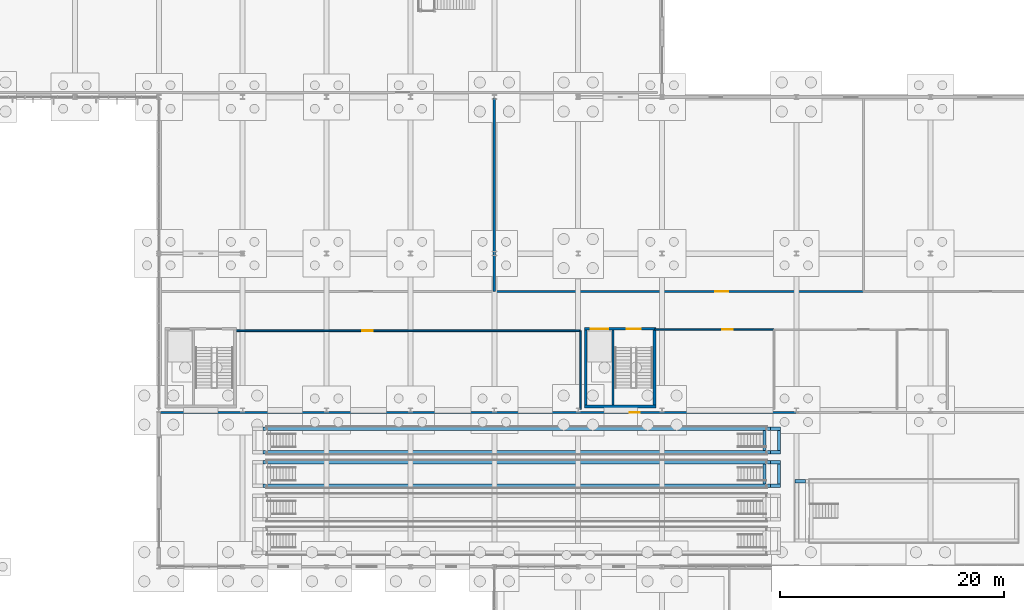
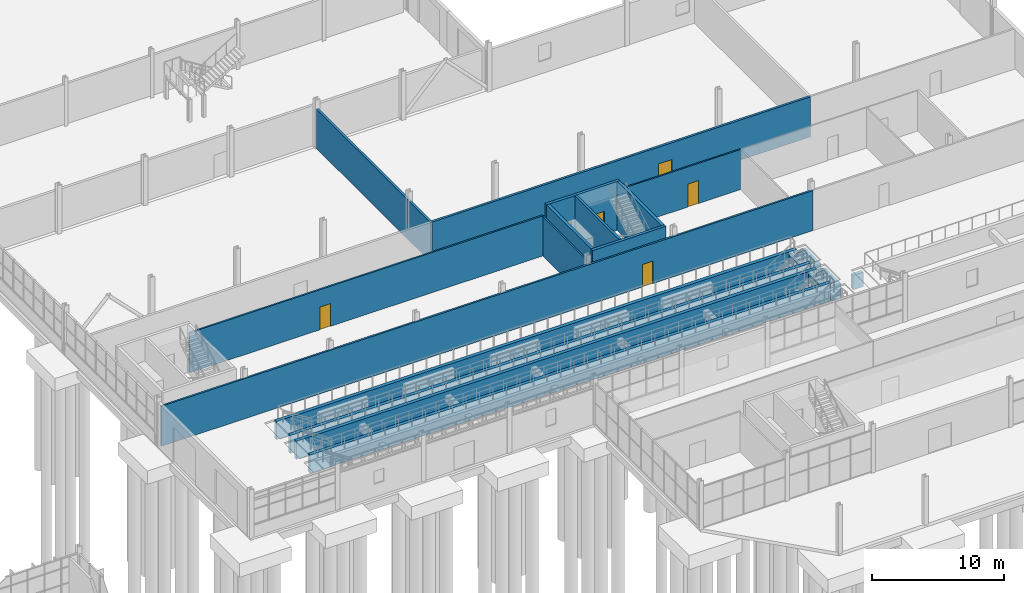
# One storey, part 115 of 136: 24 walls, 6 doors, 6 openings.
"""IFC4 building model written with IfcOpenShell, lengths in metres."""

from ifc_helpers import new_model, si_unit, direction, frame, frame_2d, origin, place, context, subcontext, project, spatial, rectangle, extrude, material, layer, layer_set, type_object, element, fill, save


model = new_model("IFC4")

# Units and contexts
model_context = context("Model", 3, precision=1e-05, world=origin(), true_north=direction((0.0, 1.0)))
body_context = subcontext(model_context, "Body", "Model", "MODEL_VIEW")
ifc_project = project(units=[si_unit("LENGTHUNIT", "METRE"), si_unit("AREAUNIT", "SQUARE_METRE"), si_unit("VOLUMEUNIT", "CUBIC_METRE"), si_unit("PLANEANGLEUNIT", "RADIAN"), si_unit("MASSUNIT", "GRAM", prefix="KILO")], contexts=[model_context])

# Site, building, storey
site_placement = place(None, origin())
site = spatial("IfcSite", under=ifc_project, at=site_placement, CompositionType="ELEMENT")
building_placement = place(site_placement, origin())
building = spatial("IfcBuilding", under=site, at=building_placement, Name="Solvenia Promenade Tram Depot", CompositionType="ELEMENT")
storey_placement = place(building_placement, origin())
storey = spatial("IfcBuildingStorey", under=building, at=storey_placement, Name="L00", CompositionType="ELEMENT", Elevation=0.0)

# Wall
ifc_material_1 = material(Name="Concrete C28/35", Category="concrete")
ifc_layer_1 = layer(ifc_material_1, 0.25, Name="Concrete C28/35", Category="concrete")
ifc_layer_set_1 = layer_set([ifc_layer_1], Name="Concrete C28/35")
wall_type_1 = type_object("IfcWallType", Name="Wall-Core-250", PredefinedType="SHEAR", material=ifc_layer_set_1)
wall_1_placement = place(storey_placement, frame((143.050048828125, 38.324951171875, 0.0), z_axis=(0.0, 0.0, 1.0), x_axis=(1.0, 0.0, 0.0)))
element("IfcWall", 1, at=wall_1_placement, inside=storey, type_object=wall_type_1, Name="Core C6 Shear Wall WC-C6-L00-S", PredefinedType="SHEAR", context=body_context, shape_type="SweptSolid", body=[
    extrude(rectangle(XDim=6.39990234375, YDim=0.25, at=frame_2d((3.199951171875, 0.0))), origin(), (0.0, 0.0, 1.0), 4.5),
])

# Wall, openings, doors
wall_2_placement = place(storey_placement, frame((143.050048828125, 45.27490234375, 0.0), z_axis=(0.0, 0.0, 1.0), x_axis=(1.0, 0.0, 0.0)))
wall_2 = element("IfcWall", 2, at=wall_2_placement, inside=storey, type_object=wall_type_1, Name="Core C6 Shear Wall WC-C6-L00-N", PredefinedType="SHEAR", context=body_context, shape_type="SweptSolid", body=[
    extrude(rectangle(XDim=6.39990234375, YDim=0.25, at=frame_2d((3.199951171875, 0.0))), origin(), (0.0, 0.0, 1.0), 4.5),
])
opening_1_placement = place(wall_2_placement, frame((0.550048828125, 0.0, 0.0)))
opening_1 = element("IfcOpeningElement", 3, at=opening_1_placement, cuts=wall_2, Name="Opening LD-06", PredefinedType="OPENING", context=body_context, shape_type="SweptSolid", body=[
    extrude(rectangle(XDim=1.60009765625, YDim=2.25, at=frame_2d((0.800048828125, 1.125))), frame((0.0, 0.135009765625, 0.0), z_axis=(0.0, -1.0, 0.0), x_axis=(1.0, 0.0, 0.0)), (0.0, 0.0, 1.0), 0.27001953125),
])
opening_2_placement = place(wall_2_placement, frame((3.77490234375, 0.0, 0.0)))
opening_2 = element("IfcOpeningElement", 4, at=opening_2_placement, cuts=wall_2, Name="Opening D-FD90", PredefinedType="OPENING", context=body_context, shape_type="SweptSolid", body=[
    extrude(rectangle(XDim=1.25, YDim=2.14990234375, at=frame_2d((0.625, 1.074951171875))), frame((0.0, 0.135009765625, 0.0), z_axis=(0.0, -1.0, 0.0), x_axis=(1.0, 0.0, 0.0)), (0.0, 0.0, 1.0), 0.27001953125),
])
ifc_material_2 = material(Name="Galvanized painted sheet steel", Category="steel")
door_type_1 = type_object("IfcDoorType", Name="Door-Lift-Goods-1600", OperationType="DOUBLE_DOOR_SLIDING", PredefinedType="DOOR", material=ifc_material_2)
door_1_placement = place(opening_1_placement, origin())
door_1 = element("IfcDoor", 5, at=door_1_placement, inside=storey, type_object=door_type_1, Name="Lift Landing Door LG-02 L00", OperationType="DOUBLE_DOOR_SLIDING", OverallHeight=2.25, OverallWidth=1.60009765625, PredefinedType="DOOR", context=body_context, shape_type="SweptSolid", body=[
    extrude(rectangle(XDim=1.60009765625, YDim=2.25, at=frame_2d((0.800048828125, 1.125))), frame((0.0, 0.02490234375, 0.0), z_axis=(0.0, -1.0, 0.0), x_axis=(1.0, 0.0, 0.0)), (0.0, 0.0, 1.0), 0.050048828125),
])
fill(opening_1, door_1)
door_type_2 = type_object("IfcDoorType", Name="Door-Stair-FD90", OperationType="NOTDEFINED", PredefinedType="DOOR", material=ifc_material_2)
door_2_placement = place(opening_2_placement, origin())
door_2 = element("IfcDoor", 6, at=door_2_placement, inside=storey, type_object=door_type_2, Name="Exit Stair Door C6 L00", OperationType="SINGLE_SWING_RIGHT", OverallHeight=2.14990234375, OverallWidth=1.25, PredefinedType="DOOR", context=body_context, shape_type="SweptSolid", body=[
    extrude(rectangle(XDim=1.25, YDim=2.14990234375, at=frame_2d((0.625, 1.074951171875))), frame((0.0, 0.02490234375, 0.0), z_axis=(0.0, -1.0, 0.0), x_axis=(1.0, 0.0, 0.0)), (0.0, 0.0, 1.0), 0.050048828125),
])
fill(opening_2, door_2)

# Walls
for number, where, z_axis, x_axis, name in (
    (7, (143.175048828125, 38.449951171875, 0.0), (0.0, 0.0, 1.0), (0.0, 1.0, 0.0), "Core C6 Shear Wall WC-C6-L00-W"),
    (8, (149.324951171875, 38.449951171875, 0.0), (0.0, 0.0, 1.0), (0.0, 1.0, 0.0), "Core C6 Shear Wall WC-C6-L00-E"),
):
    element("IfcWall", number, at=place(storey_placement, frame(where, z_axis=z_axis, x_axis=x_axis)), inside=storey, type_object=wall_type_1, Name=name, PredefinedType="SHEAR", context=body_context, shape_type="SweptSolid", body=[
        extrude(rectangle(XDim=6.699951171875, YDim=0.25, at=frame_2d((3.35009765625, 0.0))), origin(), (0.0, 0.0, 1.0), 4.5),
    ])
ifc_material_3 = material(Name="Concrete blockwork masonry", Category="masonry")
ifc_layer_2 = layer(ifc_material_3, 0.195068359375, Name="Concrete blockwork masonry", Category="masonry")
ifc_layer_set_2 = layer_set([ifc_layer_2], Name="Concrete blockwork masonry")
wall_type_2 = type_object("IfcWallType", Name="Wall-Fire-195", PredefinedType="PARTITIONING", material=ifc_layer_set_2)
wall_3_placement = place(storey_placement, frame((135.0, 48.60009765625, 0.0), z_axis=(0.0, 0.0, 1.0), x_axis=(0.0, 1.0, 0.0)))
element("IfcWall", 9, at=wall_3_placement, inside=storey, type_object=wall_type_2, Name="Paint and Body Workshop Dividing Wall WP-L00-015", PredefinedType="PARTITIONING", context=body_context, shape_type="SweptSolid", body=[
    extrude(rectangle(XDim=17.31982421875, YDim=0.195068359375, at=frame_2d((8.659912109375, 0.0))), origin(), (0.0, 0.0, 1.0), 3.633056640625),
])

# Wall, opening, door
wall_4_placement = place(storey_placement, frame((135.0, 48.60009765625, 0.0), z_axis=(0.0, 0.0, 1.0), x_axis=(1.0, 0.0, 0.0)))
wall_4 = element("IfcWall", 10, at=wall_4_placement, inside=storey, type_object=wall_type_2, Name="Heavy Parts Store Partition WP-L00-016", PredefinedType="PARTITIONING", context=body_context, shape_type="SweptSolid", body=[
    extrude(rectangle(XDim=33.0, YDim=0.195068359375, at=frame_2d((16.5, 0.0))), origin(), (0.0, 0.0, 1.0), 3.699951171875),
])
opening_3_placement = place(wall_4_placement, frame((19.7470703125, 0.0, 0.0)))
opening_3 = element("IfcOpeningElement", 11, at=opening_3_placement, cuts=wall_4, Name="Opening D-FD60", PredefinedType="OPENING", context=body_context, shape_type="SweptSolid", body=[
    extrude(rectangle(XDim=1.14990234375, YDim=2.14990234375, at=frame_2d((0.574951171875, 1.074951171875))), frame((0.0, 0.107421875, 0.0), z_axis=(0.0, -1.0, 0.0), x_axis=(1.0, 0.0, 0.0)), (0.0, 0.0, 1.0), 0.215087890625),
])
door_type_3 = type_object("IfcDoorType", Name="Door-Fire-FD60", OperationType="NOTDEFINED", PredefinedType="DOOR", material=ifc_material_2)
door_3_placement = place(opening_3_placement, origin())
door_3 = element("IfcDoor", 12, at=door_3_placement, inside=storey, type_object=door_type_3, Name="Door to Heavy Parts Store", OperationType="SINGLE_SWING_RIGHT", OverallHeight=2.14990234375, OverallWidth=1.14990234375, PredefinedType="DOOR", context=body_context, shape_type="SweptSolid", body=[
    extrude(rectangle(XDim=1.14990234375, YDim=2.14990234375, at=frame_2d((0.574951171875, 1.074951171875))), frame((0.0, 0.02490234375, 0.0), z_axis=(0.0, -1.0, 0.0), x_axis=(1.0, 0.0, 0.0)), (0.0, 0.0, 1.0), 0.050048828125),
])
fill(opening_3, door_3)

ifc_layer_3 = layer(ifc_material_3, 0.14501953125, Name="Concrete blockwork masonry", Category="masonry")
ifc_layer_set_3 = layer_set([ifc_layer_3], Name="Concrete blockwork masonry")
wall_type_3 = type_object("IfcWallType", Name="Wall-Masonry-145", PredefinedType="PARTITIONING", material=ifc_layer_set_3)
wall_5_placement = place(storey_placement, frame((111.824951171875, 45.10009765625, 0.0), z_axis=(0.0, 0.0, 1.0), x_axis=(1.0, 0.0, 0.0)))
wall_5 = element("IfcWall", 13, at=wall_5_placement, inside=storey, type_object=wall_type_3, Name="Bogie Overhaul Workshop Partition WP-L00-006", PredefinedType="PARTITIONING", context=body_context, shape_type="SweptSolid", body=[
    extrude(rectangle(XDim=30.875, YDim=0.14501953125, at=frame_2d((15.4375, 0.0))), origin(), (0.0, 0.0, 1.0), 3.699951171875),
])
opening_4_placement = place(wall_5_placement, frame((11.383056640625, 0.0, 0.0)))
opening_4 = element("IfcOpeningElement", 14, at=opening_4_placement, cuts=wall_5, Name="Opening DR-05", PredefinedType="OPENING", context=body_context, shape_type="SweptSolid", body=[
    extrude(rectangle(XDim=0.919921875, YDim=2.10009765625, at=frame_2d((0.4599609375, 1.050048828125))), frame((0.0, 0.08251953125, 0.0), z_axis=(0.0, -1.0, 0.0), x_axis=(1.0, 0.0, 0.0)), (0.0, 0.0, 1.0), 0.1650390625),
])
door_type_4 = type_object("IfcDoorType", Name="Door-Room-920x2100", OperationType="NOTDEFINED", PredefinedType="DOOR", material=ifc_material_2)
door_4_placement = place(opening_4_placement, origin())
door_4 = element("IfcDoor", 15, at=door_4_placement, inside=storey, type_object=door_type_4, Name="Door to Bogie Overhaul Workshop", OperationType="SINGLE_SWING_LEFT", OverallHeight=2.10009765625, OverallWidth=0.919921875, PredefinedType="DOOR", context=body_context, shape_type="SweptSolid", body=[
    extrude(rectangle(XDim=0.919921875, YDim=2.10009765625, at=frame_2d((0.4599609375, 1.050048828125))), frame((0.0, 0.02490234375, 0.0), z_axis=(0.0, -1.0, 0.0), x_axis=(1.0, 0.0, 0.0)), (0.0, 0.0, 1.0), 0.050048828125),
])
fill(opening_4, door_4)

ifc_layer_4 = layer(ifc_material_3, 0.159912109375, Name="Concrete blockwork masonry", Category="masonry")
ifc_layer_set_4 = layer_set([ifc_layer_4], Name="Concrete blockwork masonry")
wall_type_4 = type_object("IfcWallType", Name="Wall-Masonry-160", PredefinedType="PARTITIONING", material=ifc_layer_set_4)
wall_6_placement = place(storey_placement, frame((105.159912109375, 37.800048828125, 0.0), z_axis=(0.0, 0.0, 1.0), x_axis=(1.0, 0.0, 0.0)))
wall_6 = element("IfcWall", 16, at=wall_6_placement, inside=storey, type_object=wall_type_4, Name="Maintenance Hall Partition WP-L00-004", PredefinedType="PARTITIONING", context=body_context, shape_type="SweptSolid", body=[
    extrude(rectangle(XDim=56.840087890625, YDim=0.159912109375, at=frame_2d((28.419921875, 0.0))), origin(), (0.0, 0.0, 1.0), 3.699951171875),
])
opening_5_placement = place(wall_6_placement, frame((41.955078125, 0.0, 0.0)))
opening_5 = element("IfcOpeningElement", 17, at=opening_5_placement, cuts=wall_6, Name="Opening DR-03", PredefinedType="OPENING", context=body_context, shape_type="SweptSolid", body=[
    extrude(rectangle(XDim=0.89990234375, YDim=2.080078125, at=frame_2d((0.449951171875, 1.0400390625))), frame((0.0, 0.08984375, 0.0), z_axis=(0.0, -1.0, 0.0), x_axis=(1.0, 0.0, 0.0)), (0.0, 0.0, 1.0), 0.179931640625),
])
door_type_5 = type_object("IfcDoorType", Name="Door-Room-900x2080", OperationType="NOTDEFINED", PredefinedType="DOOR", material=ifc_material_2)
door_5_placement = place(opening_5_placement, origin())
door_5 = element("IfcDoor", 18, at=door_5_placement, inside=storey, type_object=door_type_5, Name="Door to Maintenance Hall", OperationType="SINGLE_SWING_LEFT", OverallHeight=2.080078125, OverallWidth=0.89990234375, PredefinedType="DOOR", context=body_context, shape_type="SweptSolid", body=[
    extrude(rectangle(XDim=0.89990234375, YDim=2.080078125, at=frame_2d((0.449951171875, 1.0400390625))), frame((0.0, 0.02490234375, 0.0), z_axis=(0.0, -1.0, 0.0), x_axis=(1.0, 0.0, 0.0)), (0.0, 0.0, 1.0), 0.050048828125),
])
fill(opening_5, door_5)

# Wall
ifc_material_4 = material(Name="Gypsum board acoustic partition", Category="other")
ifc_layer_5 = layer(ifc_material_4, 0.1298828125, Name="Gypsum board acoustic partition", Category="other")
ifc_layer_set_5 = layer_set([ifc_layer_5], Name="Gypsum board acoustic partition")
wall_type_5 = type_object("IfcWallType", Name="Wall-Part-130", PredefinedType="PARTITIONING", material=ifc_layer_set_5)
wall_7_placement = place(storey_placement, frame((142.699951171875, 38.080078125, 0.0), z_axis=(0.0, 0.0, 1.0), x_axis=(0.0, 1.0, 0.0)))
element("IfcWall", 19, at=wall_7_placement, inside=storey, type_object=wall_type_5, Name="Bogie Overhaul Workshop Dividing Wall WP-L00-007", PredefinedType="PARTITIONING", context=body_context, shape_type="SweptSolid", body=[
    extrude(rectangle(XDim=7.02001953125, YDim=0.1298828125, at=frame_2d((3.510009765625, 0.0))), origin(), (0.0, 0.0, 1.0), 3.633056640625),
])

# Wall, opening, door
wall_8_placement = place(storey_placement, frame((149.324951171875, 45.199951171875, 0.0), z_axis=(0.0, 0.0, 1.0), x_axis=(1.0, 0.0, 0.0)))
wall_8 = element("IfcWall", 20, at=wall_8_placement, inside=storey, type_object=wall_type_5, Name="Workshop Male Staff WC Partition WP-L00-008", PredefinedType="PARTITIONING", context=body_context, shape_type="SweptSolid", body=[
    extrude(rectangle(XDim=10.675048828125, YDim=0.1298828125, at=frame_2d((5.33740234375, 0.0))), origin(), (0.0, 0.0, 1.0), 3.699951171875),
])
opening_6_placement = place(wall_8_placement, frame((6.035888671875, 0.0, 0.0)))
opening_6 = element("IfcOpeningElement", 21, at=opening_6_placement, cuts=wall_8, Name="Opening DR-06", PredefinedType="OPENING", context=body_context, shape_type="SweptSolid", body=[
    extrude(rectangle(XDim=0.93994140625, YDim=2.1201171875, at=frame_2d((0.469970703125, 1.06005859375))), frame((0.0, 0.074951171875, 0.0), z_axis=(0.0, -1.0, 0.0), x_axis=(1.0, 0.0, 0.0)), (0.0, 0.0, 1.0), 0.14990234375),
])
door_type_6 = type_object("IfcDoorType", Name="Door-Room-940x2120", OperationType="NOTDEFINED", PredefinedType="DOOR", material=ifc_material_2)
door_6_placement = place(opening_6_placement, origin())
door_6 = element("IfcDoor", 22, at=door_6_placement, inside=storey, type_object=door_type_6, Name="Door to Workshop Male Staff WC", OperationType="SINGLE_SWING_RIGHT", OverallHeight=2.1201171875, OverallWidth=0.93994140625, PredefinedType="DOOR", context=body_context, shape_type="SweptSolid", body=[
    extrude(rectangle(XDim=0.93994140625, YDim=2.1201171875, at=frame_2d((0.469970703125, 1.06005859375))), frame((0.0, 0.02490234375, 0.0), z_axis=(0.0, -1.0, 0.0), x_axis=(1.0, 0.0, 0.0)), (0.0, 0.0, 1.0), 0.050048828125),
])
fill(opening_6, door_6)

# Walls
ifc_material_5 = material(Name="Concrete C35/45", Category="concrete")
ifc_layer_6 = layer(ifc_material_5, 0.300048828125, Name="Concrete C35/45", Category="concrete")
ifc_layer_set_6 = layer_set([ifc_layer_6], Name="Concrete C35/45")
wall_type_6 = type_object("IfcWallType", Name="Wall-Pit-300", PredefinedType="USERDEFINED", material=ifc_layer_set_6)
for number, where, z_axis, x_axis, name in (
    (23, (114.300048828125, 31.25, -1.675048828125), (0.0, 0.0, 1.0), (1.0, 0.0, 0.0), "Inspection Pit Bay 3 Retaining Wall S"),
    (24, (114.300048828125, 33.35009765625, -1.675048828125), (0.0, 0.0, 1.0), (1.0, 0.0, 0.0), "Inspection Pit Bay 3 Retaining Wall N"),
):
    element("IfcWall", number, at=place(storey_placement, frame(where, z_axis=z_axis, x_axis=x_axis)), inside=storey, type_object=wall_type_6, Name=name, ObjectType="RETAINING WALL", PredefinedType="USERDEFINED", context=body_context, shape_type="SweptSolid", body=[
        extrude(rectangle(XDim=45.39990234375, YDim=0.300048828125, at=frame_2d((22.699951171875, 0.0))), origin(), (0.0, 0.0, 1.0), 1.675048828125),
    ])
wall_9_placement = place(storey_placement, frame((159.14990234375, 31.39990234375, -1.675048828125), z_axis=(0.0, 0.0, 1.0), x_axis=(0.0, 1.0, 0.0)))
element("IfcWall", 25, at=wall_9_placement, inside=storey, type_object=wall_type_6, Name="Inspection Pit Bay 3 Retaining Wall E", ObjectType="RETAINING WALL", PredefinedType="USERDEFINED", context=body_context, shape_type="SweptSolid", body=[
    extrude(rectangle(XDim=1.800048828125, YDim=0.300048828125, at=frame_2d((0.89990234375, 0.0))), origin(), (0.0, 0.0, 1.0), 1.455078125),
])
for number, where, z_axis, x_axis, name in (
    (26, (159.699951171875, 31.25, -1.675048828125), (0.0, 0.0, 1.0), (1.0, 0.0, 0.0), "Inspection Pit Bay 3 East Drain Cheek Wall S"),
    (27, (159.699951171875, 33.35009765625, -1.675048828125), (0.0, 0.0, 1.0), (1.0, 0.0, 0.0), "Inspection Pit Bay 3 East Drain Cheek Wall N"),
):
    element("IfcWall", number, at=place(storey_placement, frame(where, z_axis=z_axis, x_axis=x_axis)), inside=storey, type_object=wall_type_6, Name=name, ObjectType="RETAINING WALL", PredefinedType="USERDEFINED", context=body_context, shape_type="SweptSolid", body=[
        extrude(rectangle(XDim=0.900146484375, YDim=0.300048828125, at=frame_2d((0.4501953125, 0.0))), origin(), (0.0, 0.0, 1.0), 1.344970703125),
    ])
wall_10_placement = place(storey_placement, frame((160.449951171875, 31.39990234375, -1.675048828125), z_axis=(0.0, 0.0, 1.0), x_axis=(0.0, 1.0, 0.0)))
element("IfcWall", 28, at=wall_10_placement, inside=storey, type_object=wall_type_6, Name="Inspection Pit Bay 3 East Apron End Wall", ObjectType="RETAINING WALL", PredefinedType="USERDEFINED", context=body_context, shape_type="SweptSolid", body=[
    extrude(rectangle(XDim=1.800048828125, YDim=0.300048828125, at=frame_2d((0.89990234375, 0.0))), origin(), (0.0, 0.0, 1.0), 1.344970703125),
])
for number, where, z_axis, x_axis, name in (
    (29, (114.300048828125, 34.25, -1.675048828125), (0.0, 0.0, 1.0), (1.0, 0.0, 0.0), "Inspection Pit Bay 4 Retaining Wall S"),
    (30, (114.300048828125, 36.35009765625, -1.675048828125), (0.0, 0.0, 1.0), (1.0, 0.0, 0.0), "Inspection Pit Bay 4 Retaining Wall N"),
):
    element("IfcWall", number, at=place(storey_placement, frame(where, z_axis=z_axis, x_axis=x_axis)), inside=storey, type_object=wall_type_6, Name=name, ObjectType="RETAINING WALL", PredefinedType="USERDEFINED", context=body_context, shape_type="SweptSolid", body=[
        extrude(rectangle(XDim=45.39990234375, YDim=0.300048828125, at=frame_2d((22.699951171875, 0.0))), origin(), (0.0, 0.0, 1.0), 1.675048828125),
    ])
wall_11_placement = place(storey_placement, frame((159.14990234375, 34.39990234375, -1.675048828125), z_axis=(0.0, 0.0, 1.0), x_axis=(0.0, 1.0, 0.0)))
element("IfcWall", 31, at=wall_11_placement, inside=storey, type_object=wall_type_6, Name="Inspection Pit Bay 4 Retaining Wall E", ObjectType="RETAINING WALL", PredefinedType="USERDEFINED", context=body_context, shape_type="SweptSolid", body=[
    extrude(rectangle(XDim=1.800048828125, YDim=0.300048828125, at=frame_2d((0.89990234375, 0.0))), origin(), (0.0, 0.0, 1.0), 1.455078125),
])
for number, where, z_axis, x_axis, name in (
    (32, (159.699951171875, 34.25, -1.675048828125), (0.0, 0.0, 1.0), (1.0, 0.0, 0.0), "Inspection Pit Bay 4 East Drain Cheek Wall S"),
    (33, (159.699951171875, 36.35009765625, -1.675048828125), (0.0, 0.0, 1.0), (1.0, 0.0, 0.0), "Inspection Pit Bay 4 East Drain Cheek Wall N"),
):
    element("IfcWall", number, at=place(storey_placement, frame(where, z_axis=z_axis, x_axis=x_axis)), inside=storey, type_object=wall_type_6, Name=name, ObjectType="RETAINING WALL", PredefinedType="USERDEFINED", context=body_context, shape_type="SweptSolid", body=[
        extrude(rectangle(XDim=0.900146484375, YDim=0.300048828125, at=frame_2d((0.4501953125, 0.0))), origin(), (0.0, 0.0, 1.0), 1.344970703125),
    ])
wall_12_placement = place(storey_placement, frame((160.449951171875, 34.39990234375, -1.675048828125), z_axis=(0.0, 0.0, 1.0), x_axis=(0.0, 1.0, 0.0)))
element("IfcWall", 34, at=wall_12_placement, inside=storey, type_object=wall_type_6, Name="Inspection Pit Bay 4 East Apron End Wall", ObjectType="RETAINING WALL", PredefinedType="USERDEFINED", context=body_context, shape_type="SweptSolid", body=[
    extrude(rectangle(XDim=1.800048828125, YDim=0.300048828125, at=frame_2d((0.89990234375, 0.0))), origin(), (0.0, 0.0, 1.0), 1.344970703125),
])
wall_13_placement = place(storey_placement, frame((161.89990234375, 31.64990234375, -1.675048828125), z_axis=(0.0, 0.0, 1.0), x_axis=(1.0, 0.0, 0.0)))
element("IfcWall", 35, at=wall_13_placement, inside=storey, type_object=wall_type_6, Name="Underfloor Wheel Lathe Bay Drain Cheek Wall N", ObjectType="RETAINING WALL", PredefinedType="USERDEFINED", context=body_context, shape_type="SweptSolid", body=[
    extrude(rectangle(XDim=0.900146484375, YDim=0.300048828125, at=frame_2d((0.4501953125, 0.0))), origin(), (0.0, 0.0, 1.0), 1.344970703125),
])
ifc_layer_7 = layer(ifc_material_1, 0.199951171875, Name="Concrete C28/35", Category="concrete")
ifc_layer_set_7 = layer_set([ifc_layer_7], Name="Concrete C28/35")
wall_type_7 = type_object("IfcWallType", Name="Wall-Shaft-200", PredefinedType="SHEAR", material=ifc_layer_set_7)
wall_14_placement = place(storey_placement, frame((145.60009765625, 38.449951171875, 0.0), z_axis=(0.0, 0.0, 1.0), x_axis=(0.0, 1.0, 0.0)))
element("IfcWall", 36, at=wall_14_placement, inside=storey, type_object=wall_type_7, Name="Core C6 Shear Wall WC-C6-L00-DIV", PredefinedType="SHEAR", context=body_context, shape_type="SweptSolid", body=[
    extrude(rectangle(XDim=6.699951171875, YDim=0.199951171875, at=frame_2d((3.35009765625, 0.0))), origin(), (0.0, 0.0, 1.0), 4.5),
])

save(model, "model.ifc")
